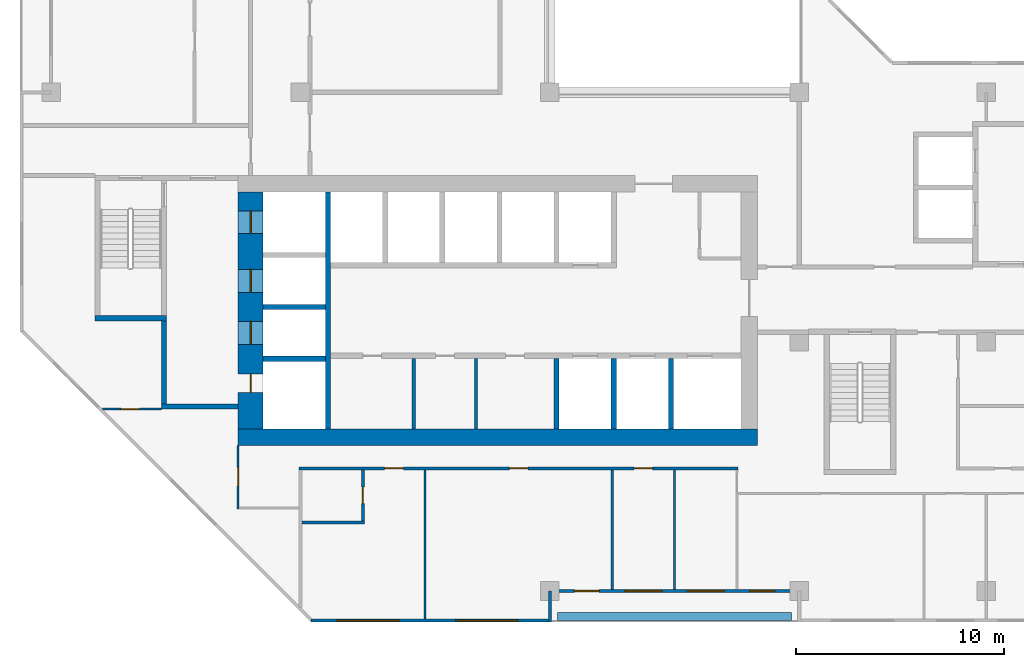
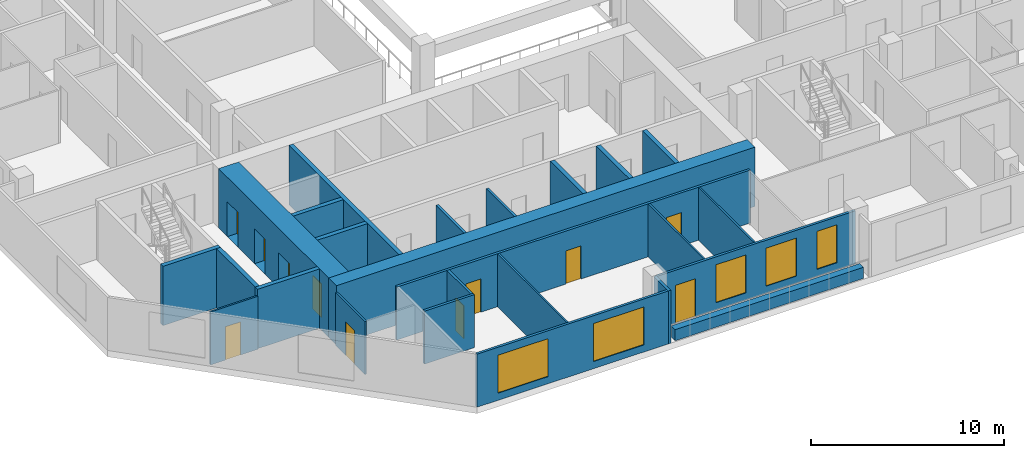
# One storey, part 4 of 15: 25 walls, 11 doors, 5 windows, 16 openings.
"""IFC4 building model written with IfcOpenShell, lengths in metres."""

import ifcopenshell
import ifcopenshell.guid

model = None  # the IFC model being written
_history = None  # IfcOwnerHistory: only IFC2X3 demands one
_inside = {}  # id of a spatial element -> (the spatial element, [elements in it])
_under = {}  # id of a project, library or spatial element -> (it, [spatial elements below it])
_declared = {}  # id of a project -> (the project, [libraries it declares])
_typed = {}  # id of a type object -> (the type object, [elements of that type])
_made_of = {}  # id of a material, layer set ... -> (it, [elements and type objects made of it])


def new_model(schema):
    """Start an empty IFC model of exactly this schema.

    Asked for "IFC4X3", IfcOpenShell would pick the latest addendum, in which some entities
    have other attributes; the version numbers below select the first issue.
    IFC2X3 requires an IfcOwnerHistory on every rooted entity: one is made here for all.
    """
    global model, _history
    if schema == "IFC4X3":
        model = ifcopenshell.file(schema_version=(4, 3, 0, 0))
    else:
        model = ifcopenshell.file(schema=schema)
    _inside.clear()
    _under.clear()
    _declared.clear()
    _typed.clear()
    _made_of.clear()
    _history = None
    if model.schema == "IFC2X3":
        org = make("IfcOrganization", Name="unknown")
        user = make(
            "IfcPersonAndOrganization",
            ThePerson=make("IfcPerson", FamilyName="unknown"),
            TheOrganization=org,
        )
        app = make(
            "IfcApplication",
            ApplicationDeveloper=org,
            Version="unknown",
            ApplicationFullName="unknown",
            ApplicationIdentifier="unknown",
        )
        _history = make(
            "IfcOwnerHistory",
            OwningUser=user,
            OwningApplication=app,
            ChangeAction="ADDED",
            CreationDate=0,
        )
    return model


def make(cls, **values):
    """One entity of the class cls with the attributes given. An attribute that is None is left unset."""
    return model.create_entity(
        cls, **{name: value for name, value in values.items() if value is not None}
    )


def rooted(cls, **values):
    """An entity with a GlobalId (a new one), such as an element, a storey or a relation."""
    return make(cls, GlobalId=ifcopenshell.guid.new(), OwnerHistory=_history, **values)


def si_unit(unit_type, name, prefix=None):
    """IfcSIUnit, for example si_unit("LENGTHUNIT", "METRE", prefix="MILLI")."""
    return make("IfcSIUnit", UnitType=unit_type, Prefix=prefix, Name=name)


def assignment(units):
    """IfcUnitAssignment: the units of a project."""
    return None if units is None else make("IfcUnitAssignment", Units=units)


def point(xyz):
    """IfcCartesianPoint."""
    return None if xyz is None else make("IfcCartesianPoint", Coordinates=xyz)


def direction(xyz):
    """IfcDirection."""
    return None if xyz is None else make("IfcDirection", DirectionRatios=xyz)


def frame(location, z_axis=None, x_axis=None):
    """IfcAxis2Placement3D, a coordinate frame: its origin and axes. An axis left out is left unset."""
    return make(
        "IfcAxis2Placement3D",
        Location=point(location),
        Axis=direction(z_axis),
        RefDirection=direction(x_axis),
    )


def frame_2d(location, x_axis=None):
    """IfcAxis2Placement2D, a coordinate frame in the plane: its origin and x axis."""
    return make(
        "IfcAxis2Placement2D", Location=point(location), RefDirection=direction(x_axis)
    )


def origin():
    """The frame at (0, 0, 0) with its axes left unset."""
    return frame((0.0, 0.0, 0.0))


def place(relative_to, where):
    """IfcLocalPlacement: puts the frame where relative to a parent placement (None: the world)."""
    return make(
        "IfcLocalPlacement", PlacementRelTo=relative_to, RelativePlacement=where
    )


def context(
    kind, dimensions, precision=None, world=None, true_north=None, identifier=None
):
    """IfcGeometricRepresentationContext, for example the 3D "Model" context."""
    return make(
        "IfcGeometricRepresentationContext",
        ContextIdentifier=identifier,
        ContextType=kind,
        CoordinateSpaceDimension=dimensions,
        Precision=precision,
        WorldCoordinateSystem=world,
        TrueNorth=true_north,
    )


def subcontext(parent, identifier, kind, view, scale=None):
    """IfcGeometricRepresentationSubContext, for example "Body" below "Model"."""
    return make(
        "IfcGeometricRepresentationSubContext",
        ContextIdentifier=identifier,
        ContextType=kind,
        ParentContext=parent,
        TargetScale=scale,
        TargetView=view,
    )


def project(units=None, contexts=None):
    """IfcProject with its units and contexts."""
    return rooted(
        "IfcProject",
        Name="project",
        RepresentationContexts=contexts,
        UnitsInContext=assignment(units),
    )


def spatial(cls, under=None, at=None, **own):
    """A site, building, storey or space (cls), placed at a placement, below another one or the project."""
    s = rooted(cls, ObjectPlacement=at, **own)
    if under is not None:
        _under.setdefault(under.id(), (under, []))[1].append(s)
    return s


def profile(cls, at=None, kind="AREA", **sizes):
    """A parametric profile (cls). Its sizes go by their IFC names, for example OverallWidth=200.0."""
    return make(cls, ProfileType=kind, Position=at, **sizes)


def rectangle(**sizes):
    """IfcRectangleProfileDef."""
    return profile("IfcRectangleProfileDef", **sizes)


def extrude(swept, where, along, depth):
    """IfcExtrudedAreaSolid: the profile swept, set in the frame where, extruded along a direction by depth."""
    return make(
        "IfcExtrudedAreaSolid",
        SweptArea=swept,
        Position=where,
        ExtrudedDirection=direction(along),
        Depth=depth,
    )


def shape(context_of_items, identifier, shape_type, items):
    """IfcShapeRepresentation: the items that make up one representation, for example the "Body"."""
    return make(
        "IfcShapeRepresentation",
        ContextOfItems=context_of_items,
        RepresentationIdentifier=identifier,
        RepresentationType=shape_type,
        Items=items,
    )


def material(Name=None, Category=None):
    """IfcMaterial."""
    return make("IfcMaterial", Name=Name, Category=Category)


def layer(
    of_material, thickness, ventilated=None, Name=None, Category=None, Priority=None
):
    """IfcMaterialLayer: one layer of a wall or slab, of a material (None: an air gap)."""
    return make(
        "IfcMaterialLayer",
        Material=of_material,
        LayerThickness=thickness,
        IsVentilated=ventilated,
        Name=Name,
        Category=Category,
        Priority=Priority,
    )


def layer_set(layers, Name=None):
    """IfcMaterialLayerSet."""
    return make("IfcMaterialLayerSet", MaterialLayers=layers, LayerSetName=Name)


def made_of(thing, what):
    """Note that an element or type object is made of a material, layer set ...; save() writes the relation."""
    if what is not None:
        _made_of.setdefault(what.id(), (what, []))[1].append(thing)
    return thing


def type_object(cls, material=None, **own):
    """A type object (cls), such as IfcWallType, which elements share."""
    return made_of(rooted(cls, **own), material)


def element(
    cls,
    number,
    at=None,
    inside=None,
    cuts=None,
    type_object=None,
    material=None,
    context=None,
    identifier="Body",
    shape_type=None,
    held_by="IfcProductDefinitionShape",
    body=None,
    shapes=None,
    **own,
):
    """One element of the class cls, such as IfcWall. Its Tag is "e" and its number.

    at: its placement. inside: the storey or other place that contains it. cuts: it is an
    opening in that element (IfcRelVoidsElement). A single representation is given by context,
    identifier, shape_type and body (its items); several are given by shapes. held_by: the class
    of the entity that holds the representations. save() writes the other relations.
    """
    e = rooted(cls, Tag="e%d" % number, ObjectPlacement=at, **own)
    if body is not None:
        shapes = [shape(context, identifier, shape_type, body)]
    if shapes is not None:
        e.Representation = make(held_by, Representations=shapes)
    if inside is not None:
        _inside.setdefault(inside.id(), (inside, []))[1].append(e)
    if cuts is not None:
        rooted(
            "IfcRelVoidsElement", RelatingBuildingElement=cuts, RelatedOpeningElement=e
        )
    if type_object is not None:
        _typed.setdefault(type_object.id(), (type_object, []))[1].append(e)
    return made_of(e, material)


def fill(opening, filler):
    """IfcRelFillsElement: the door or window that sits in an opening."""
    return rooted(
        "IfcRelFillsElement",
        RelatingOpeningElement=opening,
        RelatedBuildingElement=filler,
    )


def aggregate(whole, parts):
    """IfcRelAggregates: a whole, such as a stair, and the parts it consists of."""
    return rooted("IfcRelAggregates", RelatingObject=whole, RelatedObjects=parts)


def save(model, path):
    """Write the relations noted so far, then the file.

    IfcRelAggregates (storeys below a building ...), IfcRelContainedInSpatialStructure (elements
    in a storey), IfcRelDefinesByType, IfcRelAssociatesMaterial and IfcRelDeclares: one each for
    every whole, place, type object, material and project.
    """
    for whole, parts in _under.values():
        aggregate(whole, parts)
    for where, things in _inside.values():
        rooted(
            "IfcRelContainedInSpatialStructure",
            RelatedElements=things,
            RelatingStructure=where,
        )
    for kind, things in _typed.values():
        rooted("IfcRelDefinesByType", RelatedObjects=things, RelatingType=kind)
    for what, things in _made_of.values():
        rooted("IfcRelAssociatesMaterial", RelatedObjects=things, RelatingMaterial=what)
    for by, libraries in _declared.values():
        rooted("IfcRelDeclares", RelatingContext=by, RelatedDefinitions=libraries)
    model.write(path)


model = new_model("IFC4")

# Units and contexts
model_context = context("Model", 3, precision=1e-05, world=origin(), true_north=direction((0.0, 1.0)))
body_context = subcontext(model_context, "Body", "Model", "MODEL_VIEW")
ifc_project = project(units=[si_unit("LENGTHUNIT", "METRE"), si_unit("AREAUNIT", "SQUARE_METRE"), si_unit("VOLUMEUNIT", "CUBIC_METRE"), si_unit("PLANEANGLEUNIT", "RADIAN"), si_unit("MASSUNIT", "GRAM", prefix="KILO")], contexts=[model_context])

# Site, building, storey
site_placement = place(None, origin())
site = spatial("IfcSite", under=ifc_project, at=site_placement, CompositionType="ELEMENT")
building_placement = place(site_placement, origin())
building = spatial("IfcBuilding", under=site, at=building_placement, Name="Chenar Terraces", CompositionType="ELEMENT")
storey_placement = place(building_placement, frame((0.0, 0.0, 191.14990234375)))
storey = spatial("IfcBuildingStorey", under=building, at=storey_placement, Name="L44", CompositionType="ELEMENT", Elevation=191.14990234375)

# Walls
ifc_material_1 = material(Name="Gypsum board on steel studs", Category="steel")
ifc_layer_1 = layer(ifc_material_1, 0.14990234375)
ifc_layer_set_1 = layer_set([ifc_layer_1], Name="Gypsum board on steel studs")
wall_type_1 = type_object("IfcWallType", Name="Core partition 150 gypsum board", PredefinedType="PARTITIONING", material=ifc_layer_set_1)
for number, where, z_axis, x_axis, name in (
    (1, (17.449951171875, 7.800048828125, 0.0), (0.0, 0.0, 1.0), (0.0, 1.0, 0.0), "Core partition CP1 freed bay wall"),
    (2, (20.449951171875, 7.800048828125, 0.0), (0.0, 0.0, 1.0), (0.0, 1.0, 0.0), "Core partition CP1 freed bay wall"),
):
    element("IfcWall", number, at=place(storey_placement, frame(where, z_axis=z_axis, x_axis=x_axis)), inside=storey, type_object=wall_type_1, Name=name, PredefinedType="PARTITIONING", context=body_context, shape_type="SweptSolid", body=[
        extrude(rectangle(XDim=3.39990234375, YDim=0.14990234375, at=frame_2d((1.699951171875, 0.0))), origin(), (0.0, 0.0, 1.0), 3.35009765625),
    ])

# Wall, openings, doors
ifc_material_2 = material(Name="Concrete C60/75", Category="concrete")
ifc_layer_2 = layer(ifc_material_2, 1.199951171875)
ifc_layer_set_2 = layer_set([ifc_layer_2], Name="Concrete C60/75")
wall_type_2 = type_object("IfcWallType", Name="Core wall 1200 Concrete C60/75", PredefinedType="SHEAR", material=ifc_layer_set_2)
wall_1_placement = place(storey_placement, frame((9.60009765625, 7.800048828125, 0.0), z_axis=(0.0, 0.0, 1.0), x_axis=(0.0, 1.0, 0.0)))
wall_1 = element("IfcWall", 3, at=wall_1_placement, inside=storey, type_object=wall_type_2, Name="Core wall W L44", PredefinedType="SHEAR", context=body_context, shape_type="SweptSolid", body=[
    extrude(rectangle(XDim=11.39990234375, YDim=1.199951171875, at=frame_2d((5.699951171875, 0.0))), origin(), (0.0, 0.0, 1.0), 3.75),
])
opening_1_placement = place(wall_1_placement, frame((4.074951171875, 0.0, 0.0)))
opening_1 = element("IfcOpeningElement", 4, at=opening_1_placement, cuts=wall_1, Name="Opening DL44-LD5", PredefinedType="OPENING", context=body_context, shape_type="SweptSolid", body=[
    extrude(rectangle(XDim=1.10009765625, YDim=2.199951171875, at=frame_2d((0.550048828125, 1.10009765625))), frame((0.0, 0.60986328125, 0.0), z_axis=(0.0, -1.0, 0.0), x_axis=(1.0, 0.0, 0.0)), (0.0, 0.0, 1.0), 1.219970703125),
])
opening_2_placement = place(wall_1_placement, frame((6.574951171875, 0.0, 0.0)))
opening_2 = element("IfcOpeningElement", 5, at=opening_2_placement, cuts=wall_1, Name="Opening DL44-LD6", PredefinedType="OPENING", context=body_context, shape_type="SweptSolid", body=[
    extrude(rectangle(XDim=1.10009765625, YDim=2.199951171875, at=frame_2d((0.550048828125, 1.10009765625))), frame((0.0, 0.60986328125, 0.0), z_axis=(0.0, -1.0, 0.0), x_axis=(1.0, 0.0, 0.0)), (0.0, 0.0, 1.0), 1.219970703125),
])
opening_3_placement = place(wall_1_placement, frame((9.39990234375, 0.0, 0.0)))
opening_3 = element("IfcOpeningElement", 6, at=opening_3_placement, cuts=wall_1, Name="Opening DL44-LD7", PredefinedType="OPENING", context=body_context, shape_type="SweptSolid", body=[
    extrude(rectangle(XDim=1.10009765625, YDim=2.199951171875, at=frame_2d((0.550048828125, 1.10009765625))), frame((0.0, 0.60986328125, 0.0), z_axis=(0.0, -1.0, 0.0), x_axis=(1.0, 0.0, 0.0)), (0.0, 0.0, 1.0), 1.219970703125),
])
opening_4_placement = place(wall_1_placement, frame((1.75, 0.0, 0.0)))
opening_4 = element("IfcOpeningElement", 7, at=opening_4_placement, cuts=wall_1, Name="Opening DL44-C4", PredefinedType="OPENING", context=body_context, shape_type="SweptSolid", body=[
    extrude(rectangle(XDim=0.89990234375, YDim=2.10009765625, at=frame_2d((0.449951171875, 1.050048828125))), frame((0.0, 0.60986328125, 0.0), z_axis=(0.0, -1.0, 0.0), x_axis=(1.0, 0.0, 0.0)), (0.0, 0.0, 1.0), 1.219970703125),
])
ifc_material_3 = material(Name="Stainless steel", Category="steel")
door_type_1 = type_object("IfcDoorType", Name="Lift landing door 1100 x 2200 sliding", OperationType="DOUBLE_DOOR_SLIDING", PredefinedType="DOOR", material=ifc_material_3)
door_1_placement = place(opening_1_placement, origin())
door_1 = element("IfcDoor", 8, at=door_1_placement, inside=storey, type_object=door_type_1, Name="Landing door S1", OperationType="DOUBLE_DOOR_SLIDING", OverallHeight=2.199951171875, OverallWidth=1.10009765625, PredefinedType="DOOR", context=body_context, shape_type="SweptSolid", body=[
    extrude(rectangle(XDim=1.10009765625, YDim=2.199951171875, at=frame_2d((0.550048828125, 1.10009765625))), frame((0.0, 0.02490234375, 0.0), z_axis=(0.0, -1.0, 0.0), x_axis=(1.0, 0.0, 0.0)), (0.0, 0.0, 1.0), 0.050048828125),
])
fill(opening_1, door_1)
door_2_placement = place(opening_2_placement, origin())
door_2 = element("IfcDoor", 9, at=door_2_placement, inside=storey, type_object=door_type_1, Name="Landing door F1", OperationType="DOUBLE_DOOR_SLIDING", OverallHeight=2.199951171875, OverallWidth=1.10009765625, PredefinedType="DOOR", context=body_context, shape_type="SweptSolid", body=[
    extrude(rectangle(XDim=1.10009765625, YDim=2.199951171875, at=frame_2d((0.550048828125, 1.10009765625))), frame((0.0, 0.02490234375, 0.0), z_axis=(0.0, -1.0, 0.0), x_axis=(1.0, 0.0, 0.0)), (0.0, 0.0, 1.0), 0.050048828125),
])
fill(opening_2, door_2)
door_3_placement = place(opening_3_placement, origin())
door_3 = element("IfcDoor", 10, at=door_3_placement, inside=storey, type_object=door_type_1, Name="Landing door F2", OperationType="DOUBLE_DOOR_SLIDING", OverallHeight=2.199951171875, OverallWidth=1.10009765625, PredefinedType="DOOR", context=body_context, shape_type="SweptSolid", body=[
    extrude(rectangle(XDim=1.10009765625, YDim=2.199951171875, at=frame_2d((0.550048828125, 1.10009765625))), frame((0.0, 0.02490234375, 0.0), z_axis=(0.0, -1.0, 0.0), x_axis=(1.0, 0.0, 0.0)), (0.0, 0.0, 1.0), 0.050048828125),
])
fill(opening_3, door_3)
ifc_material_4 = material(Name="Steel-framed fire-resisting door leaf", Category="steel")
door_type_2 = type_object("IfcDoorType", Name="Riser fire door FD60 900 x 2100", OperationType="SINGLE_SWING_LEFT", PredefinedType="DOOR", material=ifc_material_4)
door_4_placement = place(opening_4_placement, frame((0.89990234375, 0.0, 0.0), z_axis=(0.0, 0.0, 1.0), x_axis=(-1.0, 0.0, 0.0)))
door_4 = element("IfcDoor", 11, at=door_4_placement, inside=storey, type_object=door_type_2, Name="Riser door DL44-C4", OperationType="SINGLE_SWING_LEFT", OverallHeight=2.10009765625, OverallWidth=0.89990234375, PredefinedType="DOOR", context=body_context, shape_type="SweptSolid", body=[
    extrude(rectangle(XDim=0.89990234375, YDim=2.10009765625, at=frame_2d((0.449951171875, 1.050048828125))), frame((0.0, 0.02490234375, 0.0), z_axis=(0.0, -1.0, 0.0), x_axis=(1.0, 0.0, 0.0)), (0.0, 0.0, 1.0), 0.050048828125),
])
fill(opening_4, door_4)

# Walls
ifc_material_5 = material(Name="Concrete C60/75", Category="concrete")
ifc_layer_3 = layer(ifc_material_5, 0.25)
ifc_layer_set_3 = layer_set([ifc_layer_3], Name="Concrete C60/75")
wall_type_3 = type_object("IfcWallType", Name="Core wall 250 Concrete C60/75", PredefinedType="SHEAR", material=ifc_layer_set_3)
wall_2_placement = place(storey_placement, frame((13.324951171875, 7.800048828125, 0.0), z_axis=(0.0, 0.0, 1.0), x_axis=(0.0, 1.0, 0.0)))
element("IfcWall", 12, at=wall_2_placement, inside=storey, type_object=wall_type_3, Name="Core wall WI L44", PredefinedType="SHEAR", context=body_context, shape_type="SweptSolid", body=[
    extrude(rectangle(XDim=11.39990234375, YDim=0.25, at=frame_2d((5.699951171875, 0.0))), origin(), (0.0, 0.0, 1.0), 3.75),
])
for number, where, z_axis, x_axis, name in (
    (13, (10.199951171875, 11.175048828125, 0.0), (0.0, 0.0, 1.0), (1.0, 0.0, 0.0), "Core wall HW0 L44"),
    (14, (10.199951171875, 13.675048828125, 0.0), (0.0, 0.0, 1.0), (1.0, 0.0, 0.0), "Core wall HW1 L44"),
):
    element("IfcWall", number, at=place(storey_placement, frame(where, z_axis=z_axis, x_axis=x_axis)), inside=storey, type_object=wall_type_3, Name=name, PredefinedType="SHEAR", context=body_context, shape_type="SweptSolid", body=[
        extrude(rectangle(XDim=3.0, YDim=0.25, at=frame_2d((1.5, 0.0))), origin(), (0.0, 0.0, 1.0), 3.75),
    ])
for number, where, z_axis, x_axis, name in (
    (15, (24.324951171875, 7.800048828125, 0.0), (0.0, 0.0, 1.0), (0.0, 1.0, 0.0), "Core wall SS3 L44"),
    (16, (27.074951171875, 7.800048828125, 0.0), (0.0, 0.0, 1.0), (0.0, 1.0, 0.0), "Core wall SS4 L44"),
    (17, (29.824951171875, 7.800048828125, 0.0), (0.0, 0.0, 1.0), (0.0, 1.0, 0.0), "Core wall SS5 L44"),
):
    element("IfcWall", number, at=place(storey_placement, frame(where, z_axis=z_axis, x_axis=x_axis)), inside=storey, type_object=wall_type_3, Name=name, PredefinedType="SHEAR", context=body_context, shape_type="SweptSolid", body=[
        extrude(rectangle(XDim=3.39990234375, YDim=0.25, at=frame_2d((1.699951171875, 0.0))), origin(), (0.0, 0.0, 1.0), 3.75),
    ])
wall_3_placement = place(storey_placement, frame((2.10009765625, 13.125, 0.0), z_axis=(0.0, 0.0, 1.0), x_axis=(1.0, 0.0, 0.0)))
element("IfcWall", 18, at=wall_3_placement, inside=storey, type_object=wall_type_3, Name="Core wall ST1_S L44", PredefinedType="SHEAR", context=body_context, shape_type="SweptSolid", body=[
    extrude(rectangle(XDim=3.449951171875, YDim=0.25, at=frame_2d((1.72509765625, 0.0))), origin(), (0.0, 0.0, 1.0), 3.75),
])
wall_4_placement = place(storey_placement, frame((5.300048828125, 8.875, 0.0), z_axis=(0.0, 0.0, 1.0), x_axis=(1.0, 0.0, 0.0)))
element("IfcWall", 19, at=wall_4_placement, inside=storey, type_object=wall_type_3, Name="Core wall FFL_S L44", PredefinedType="SHEAR", context=body_context, shape_type="SweptSolid", body=[
    extrude(rectangle(XDim=3.699951171875, YDim=0.25, at=frame_2d((1.85009765625, 0.0))), origin(), (0.0, 0.0, 1.0), 3.75),
])
wall_5_placement = place(storey_placement, frame((5.425048828125, 9.0, 0.0), z_axis=(0.0, 0.0, 1.0), x_axis=(0.0, 1.0, 0.0)))
element("IfcWall", 20, at=wall_5_placement, inside=storey, type_object=wall_type_3, Name="Core wall FFL_W L44", PredefinedType="SHEAR", context=body_context, shape_type="SweptSolid", body=[
    extrude(rectangle(XDim=4.0, YDim=0.25, at=frame_2d((2.0, 0.0))), origin(), (0.0, 0.0, 1.0), 3.75),
])
ifc_material_6 = material(Name="Concrete C60/75", Category="concrete")
ifc_layer_4 = layer(ifc_material_6, 0.800048828125)
ifc_layer_set_4 = layer_set([ifc_layer_4], Name="Concrete C60/75")
wall_type_4 = type_object("IfcWallType", Name="Core wall 800 Concrete C60/75", PredefinedType="SHEAR", material=ifc_layer_set_4)
wall_6_placement = place(storey_placement, frame((9.0, 7.39990234375, 0.0), z_axis=(0.0, 0.0, 1.0), x_axis=(1.0, 0.0, 0.0)))
element("IfcWall", 21, at=wall_6_placement, inside=storey, type_object=wall_type_4, Name="Core wall S L44", PredefinedType="SHEAR", context=body_context, shape_type="SweptSolid", body=[
    extrude(rectangle(XDim=25.0, YDim=0.800048828125, at=frame_2d((12.5, 0.0))), origin(), (0.0, 0.0, 1.0), 3.75),
])

# Wall, openings, windows
ifc_material_7 = material(Name="Aluminium framed glazing", Category="aluminium")
ifc_layer_5 = layer(ifc_material_7, 0.14990234375)
ifc_layer_set_5 = layer_set([ifc_layer_5], Name="Aluminium framed glazing")
wall_type_5 = type_object("IfcWallType", Name="Glazed flush facade wall 150", PredefinedType="SOLIDWALL", material=ifc_layer_set_5)
wall_7_placement = place(storey_placement, frame((12.5, -1.425048828125, 0.0), z_axis=(0.0, 0.0, 1.0), x_axis=(1.0, 0.0, 0.0)))
wall_7 = element("IfcWall", 22, at=wall_7_placement, inside=storey, type_object=wall_type_5, Name="Glazed flush facade wall", PredefinedType="SOLIDWALL", context=body_context, shape_type="SweptSolid", body=[
    extrude(rectangle(XDim=11.425048828125, YDim=0.14990234375, at=frame_2d((5.71240234375, 0.0))), origin(), (0.0, 0.0, 1.0), 3.35009765625),
])
opening_5_placement = place(wall_7_placement, frame((1.25, 0.0, 0.449951171875)))
opening_5 = element("IfcOpeningElement", 23, at=opening_5_placement, cuts=wall_7, Name="Opening W300x240", PredefinedType="OPENING", context=body_context, shape_type="SweptSolid", body=[
    extrude(rectangle(XDim=3.0, YDim=2.39990234375, at=frame_2d((1.5, 1.199951171875))), frame((0.0, 0.0849609375, 0.0), z_axis=(0.0, -1.0, 0.0), x_axis=(1.0, 0.0, 0.0)), (0.0, 0.0, 1.0), 0.169921875),
])
opening_6_placement = place(wall_7_placement, frame((6.96240234375, 0.0, 0.449951171875)))
opening_6 = element("IfcOpeningElement", 24, at=opening_6_placement, cuts=wall_7, Name="Opening W300x240", PredefinedType="OPENING", context=body_context, shape_type="SweptSolid", body=[
    extrude(rectangle(XDim=3.0, YDim=2.39990234375, at=frame_2d((1.5, 1.199951171875))), frame((0.0, 0.0849609375, 0.0), z_axis=(0.0, -1.0, 0.0), x_axis=(1.0, 0.0, 0.0)), (0.0, 0.0, 1.0), 0.169921875),
])
ifc_material_8 = material(Name="Low emissivity double glazing, aluminium frame", Category="aluminium")
window_type_1 = type_object("IfcWindowType", Name="Fixed light 3000 x 2400", PartitioningType="SINGLE_PANEL", PredefinedType="WINDOW", material=ifc_material_8)
window_1_placement = place(opening_5_placement, origin())
window_1 = element("IfcWindow", 25, at=window_1_placement, inside=storey, type_object=window_type_1, Name="Window", OverallHeight=2.39990234375, OverallWidth=3.0, PartitioningType="SINGLE_PANEL", PredefinedType="WINDOW", context=body_context, shape_type="SweptSolid", body=[
    extrude(rectangle(XDim=3.0, YDim=2.39990234375, at=frame_2d((1.5, 1.199951171875))), frame((0.0, 0.030029296875, 0.0), z_axis=(0.0, -1.0, 0.0), x_axis=(1.0, 0.0, 0.0)), (0.0, 0.0, 1.0), 0.06005859375),
])
fill(opening_5, window_1)
window_2_placement = place(opening_6_placement, origin())
window_2 = element("IfcWindow", 26, at=window_2_placement, inside=storey, type_object=window_type_1, Name="Window", OverallHeight=2.39990234375, OverallWidth=3.0, PartitioningType="SINGLE_PANEL", PredefinedType="WINDOW", context=body_context, shape_type="SweptSolid", body=[
    extrude(rectangle(XDim=3.0, YDim=2.39990234375, at=frame_2d((1.5, 1.199951171875))), frame((0.0, 0.030029296875, 0.0), z_axis=(0.0, -1.0, 0.0), x_axis=(1.0, 0.0, 0.0)), (0.0, 0.0, 1.0), 0.06005859375),
])
fill(opening_6, window_2)

# Wall, openings, windows, door
ifc_material_9 = material(Name="Aluminium framed glazing", Category="aluminium")
ifc_layer_6 = layer(ifc_material_9, 0.14990234375)
ifc_layer_set_6 = layer_set([ifc_layer_6], Name="Aluminium framed glazing")
wall_type_6 = type_object("IfcWallType", Name="Glazed loggia back wall 150", PredefinedType="SOLIDWALL", material=ifc_layer_set_6)
wall_8_placement = place(storey_placement, frame((24.074951171875, 0.0, 0.0), z_axis=(0.0, 0.0, 1.0), x_axis=(1.0, 0.0, 0.0)))
wall_8 = element("IfcWall", 27, at=wall_8_placement, inside=storey, type_object=wall_type_6, Name="Glazed loggia back wall", PredefinedType="SOLIDWALL", context=body_context, shape_type="SweptSolid", body=[
    extrude(rectangle(XDim=11.85009765625, YDim=0.14990234375, at=frame_2d((5.925048828125, 0.0))), origin(), (0.0, 0.0, 1.0), 3.35009765625),
])
opening_7_placement = place(wall_8_placement, frame((1.10009765625, 0.0, 0.0)))
opening_7 = element("IfcOpeningElement", 28, at=opening_7_placement, cuts=wall_8, Name="Opening DL44-G6", PredefinedType="OPENING", context=body_context, shape_type="SweptSolid", body=[
    extrude(rectangle(XDim=1.199951171875, YDim=2.39990234375, at=frame_2d((0.60009765625, 1.199951171875))), frame((0.0, 0.0849609375, 0.0), z_axis=(0.0, -1.0, 0.0), x_axis=(1.0, 0.0, 0.0)), (0.0, 0.0, 1.0), 0.169921875),
])
opening_8_placement = place(wall_8_placement, frame((3.52490234375, 0.0, 0.449951171875)))
opening_8 = element("IfcOpeningElement", 29, at=opening_8_placement, cuts=wall_8, Name="Opening W180x240", PredefinedType="OPENING", context=body_context, shape_type="SweptSolid", body=[
    extrude(rectangle(XDim=1.800048828125, YDim=2.39990234375, at=frame_2d((0.89990234375, 1.199951171875))), frame((0.0, 0.0849609375, 0.0), z_axis=(0.0, -1.0, 0.0), x_axis=(1.0, 0.0, 0.0)), (0.0, 0.0, 1.0), 0.169921875),
])
opening_9_placement = place(wall_8_placement, frame((6.52490234375, 0.0, 0.449951171875)))
opening_9 = element("IfcOpeningElement", 30, at=opening_9_placement, cuts=wall_8, Name="Opening W180x240", PredefinedType="OPENING", context=body_context, shape_type="SweptSolid", body=[
    extrude(rectangle(XDim=1.800048828125, YDim=2.39990234375, at=frame_2d((0.89990234375, 1.199951171875))), frame((0.0, 0.0849609375, 0.0), z_axis=(0.0, -1.0, 0.0), x_axis=(1.0, 0.0, 0.0)), (0.0, 0.0, 1.0), 0.169921875),
])
opening_10_placement = place(wall_8_placement, frame((9.550048828125, 0.0, 0.449951171875)))
opening_10 = element("IfcOpeningElement", 31, at=opening_10_placement, cuts=wall_8, Name="Opening W120x240", PredefinedType="OPENING", context=body_context, shape_type="SweptSolid", body=[
    extrude(rectangle(XDim=1.199951171875, YDim=2.39990234375, at=frame_2d((0.60009765625, 1.199951171875))), frame((0.0, 0.0849609375, 0.0), z_axis=(0.0, -1.0, 0.0), x_axis=(1.0, 0.0, 0.0)), (0.0, 0.0, 1.0), 0.169921875),
])
ifc_material_10 = material(Name="Low emissivity double glazing, aluminium frame", Category="aluminium")
window_type_2 = type_object("IfcWindowType", Name="Fixed light 1200 x 2400", PartitioningType="SINGLE_PANEL", PredefinedType="WINDOW", material=ifc_material_10)
window_3_placement = place(opening_10_placement, origin())
window_3 = element("IfcWindow", 32, at=window_3_placement, inside=storey, type_object=window_type_2, Name="Window", OverallHeight=2.39990234375, OverallWidth=1.199951171875, PartitioningType="SINGLE_PANEL", PredefinedType="WINDOW", context=body_context, shape_type="SweptSolid", body=[
    extrude(rectangle(XDim=1.199951171875, YDim=2.39990234375, at=frame_2d((0.60009765625, 1.199951171875))), frame((0.0, 0.030029296875, 0.0), z_axis=(0.0, -1.0, 0.0), x_axis=(1.0, 0.0, 0.0)), (0.0, 0.0, 1.0), 0.06005859375),
])
fill(opening_10, window_3)
ifc_material_11 = material(Name="Low emissivity double glazing, aluminium frame", Category="aluminium")
window_type_3 = type_object("IfcWindowType", Name="Fixed light 1800 x 2400", PartitioningType="SINGLE_PANEL", PredefinedType="WINDOW", material=ifc_material_11)
window_4_placement = place(opening_8_placement, origin())
window_4 = element("IfcWindow", 33, at=window_4_placement, inside=storey, type_object=window_type_3, Name="Window", OverallHeight=2.39990234375, OverallWidth=1.800048828125, PartitioningType="SINGLE_PANEL", PredefinedType="WINDOW", context=body_context, shape_type="SweptSolid", body=[
    extrude(rectangle(XDim=1.800048828125, YDim=2.39990234375, at=frame_2d((0.89990234375, 1.199951171875))), frame((0.0, 0.030029296875, 0.0), z_axis=(0.0, -1.0, 0.0), x_axis=(1.0, 0.0, 0.0)), (0.0, 0.0, 1.0), 0.06005859375),
])
fill(opening_8, window_4)
window_5_placement = place(opening_9_placement, origin())
window_5 = element("IfcWindow", 34, at=window_5_placement, inside=storey, type_object=window_type_3, Name="Window", OverallHeight=2.39990234375, OverallWidth=1.800048828125, PartitioningType="SINGLE_PANEL", PredefinedType="WINDOW", context=body_context, shape_type="SweptSolid", body=[
    extrude(rectangle(XDim=1.800048828125, YDim=2.39990234375, at=frame_2d((0.89990234375, 1.199951171875))), frame((0.0, 0.030029296875, 0.0), z_axis=(0.0, -1.0, 0.0), x_axis=(1.0, 0.0, 0.0)), (0.0, 0.0, 1.0), 0.06005859375),
])
fill(opening_9, window_5)
ifc_material_12 = material(Name="Low emissivity double glazing, aluminium frame", Category="aluminium")
door_type_3 = type_object("IfcDoorType", Name="Loggia glazed double door 1200 x 2400", OperationType="DOUBLE_DOOR_SINGLE_SWING", PredefinedType="DOOR", material=ifc_material_12)
door_5_placement = place(opening_7_placement, frame((1.199951171875, 0.0, 0.0), z_axis=(0.0, 0.0, 1.0), x_axis=(-1.0, 0.0, 0.0)))
door_5 = element("IfcDoor", 35, at=door_5_placement, inside=storey, type_object=door_type_3, Name="Loggia glazed door", OperationType="DOUBLE_DOOR_SINGLE_SWING", OverallHeight=2.39990234375, OverallWidth=1.199951171875, PredefinedType="DOOR", context=body_context, shape_type="SweptSolid", body=[
    extrude(rectangle(XDim=1.199951171875, YDim=2.39990234375, at=frame_2d((0.60009765625, 1.199951171875))), frame((0.0, 0.02490234375, 0.0), z_axis=(0.0, -1.0, 0.0), x_axis=(1.0, 0.0, 0.0)), (0.0, 0.0, 1.0), 0.050048828125),
])
fill(opening_7, door_5)

# Wall, opening, door
ifc_material_13 = material(Name="Gypsum board on steel studs", Category="steel")
ifc_layer_7 = layer(ifc_material_13, 0.10009765625)
ifc_layer_set_7 = layer_set([ifc_layer_7], Name="Gypsum board on steel studs")
wall_type_7 = type_object("IfcWallType", Name="Gypsum partition 100", PredefinedType="PARTITIONING", material=ifc_layer_set_7)
wall_9_placement = place(storey_placement, frame((2.4609375, 8.75, 0.0), z_axis=(0.0, 0.0, 1.0), x_axis=(1.0, 0.0, 0.0)))
wall_9 = element("IfcWall", 36, at=wall_9_placement, inside=storey, type_object=wall_type_7, Name="Partition L44-012", PredefinedType="PARTITIONING", context=body_context, shape_type="SweptSolid", body=[
    extrude(rectangle(XDim=2.839111328125, YDim=0.10009765625, at=frame_2d((1.41943359375, 0.0))), origin(), (0.0, 0.0, 1.0), 3.35009765625),
])
opening_11_placement = place(wall_9_placement, frame((0.888916015625, 0.0, 0.0)))
opening_11 = element("IfcOpeningElement", 37, at=opening_11_placement, cuts=wall_9, Name="Opening DL44-50", PredefinedType="OPENING", context=body_context, shape_type="SweptSolid", body=[
    extrude(rectangle(XDim=0.89990234375, YDim=2.10009765625, at=frame_2d((0.449951171875, 1.050048828125))), frame((0.0, 0.06005859375, 0.0), z_axis=(0.0, -1.0, 0.0), x_axis=(1.0, 0.0, 0.0)), (0.0, 0.0, 1.0), 0.1201171875),
])
ifc_material_14 = material(Name="Veneered timber door leaf", Category="wood")
door_type_4 = type_object("IfcDoorType", Name="Door 900 x 2100", OperationType="SINGLE_SWING_LEFT", PredefinedType="DOOR", material=ifc_material_14)
door_6_placement = place(opening_11_placement, frame((0.89990234375, 0.0, 0.0), z_axis=(0.0, 0.0, 1.0), x_axis=(-1.0, 0.0, 0.0)))
door_6 = element("IfcDoor", 38, at=door_6_placement, inside=storey, type_object=door_type_4, Name="Door DL44-50", OperationType="SINGLE_SWING_RIGHT", OverallHeight=2.10009765625, OverallWidth=0.89990234375, PredefinedType="DOOR", context=body_context, shape_type="SweptSolid", body=[
    extrude(rectangle(XDim=0.89990234375, YDim=2.10009765625, at=frame_2d((0.449951171875, 1.050048828125))), frame((0.0, 0.02490234375, 0.0), z_axis=(0.0, -1.0, 0.0), x_axis=(1.0, 0.0, 0.0)), (0.0, 0.0, 1.0), 0.050048828125),
])
fill(opening_11, door_6)

wall_10_placement = place(storey_placement, frame((9.0, 3.949951171875, 0.0), z_axis=(0.0, 0.0, 1.0), x_axis=(0.0, 1.0, 0.0)))
wall_10 = element("IfcWall", 39, at=wall_10_placement, inside=storey, type_object=wall_type_7, Name="Partition L44-027", PredefinedType="PARTITIONING", context=body_context, shape_type="SweptSolid", body=[
    extrude(rectangle(XDim=3.050048828125, YDim=0.10009765625, at=frame_2d((1.52490234375, 0.0))), origin(), (0.0, 0.0, 1.0), 3.35009765625),
])
opening_12_placement = place(wall_10_placement, frame((1.10009765625, 0.0, 0.0)))
opening_12 = element("IfcOpeningElement", 40, at=opening_12_placement, cuts=wall_10, Name="Opening DL44-49", PredefinedType="OPENING", context=body_context, shape_type="SweptSolid", body=[
    extrude(rectangle(XDim=0.89990234375, YDim=2.10009765625, at=frame_2d((0.449951171875, 1.050048828125))), frame((0.0, 0.06005859375, 0.0), z_axis=(0.0, -1.0, 0.0), x_axis=(1.0, 0.0, 0.0)), (0.0, 0.0, 1.0), 0.1201171875),
])
door_7_placement = place(opening_12_placement, origin())
door_7 = element("IfcDoor", 41, at=door_7_placement, inside=storey, type_object=door_type_4, Name="Door DL44-49", OperationType="SINGLE_SWING_LEFT", OverallHeight=2.10009765625, OverallWidth=0.89990234375, PredefinedType="DOOR", context=body_context, shape_type="SweptSolid", body=[
    extrude(rectangle(XDim=0.89990234375, YDim=2.10009765625, at=frame_2d((0.449951171875, 1.050048828125))), frame((0.0, 0.02490234375, 0.0), z_axis=(0.0, -1.0, 0.0), x_axis=(1.0, 0.0, 0.0)), (0.0, 0.0, 1.0), 0.050048828125),
])
fill(opening_12, door_7)

# Walls
wall_11_placement = place(storey_placement, frame((18.0, -1.35009765625, 0.0), z_axis=(0.0, 0.0, 1.0), x_axis=(0.0, 1.0, 0.0)))
element("IfcWall", 42, at=wall_11_placement, inside=storey, type_object=wall_type_7, Name="Partition L44-050", PredefinedType="PARTITIONING", context=body_context, shape_type="SweptSolid", body=[
    extrude(rectangle(XDim=7.175048828125, YDim=0.10009765625, at=frame_2d((3.58740234375, 0.0))), origin(), (0.0, 0.0, 1.0), 3.35009765625),
])
for number, where, z_axis, x_axis, name in (
    (43, (27.0, 0.073974609375, 0.0), (0.0, 0.0, 1.0), (0.0, 1.0, 0.0), "Partition L44-055"),
    (44, (30.0, 0.073974609375, 0.0), (0.0, 0.0, 1.0), (0.0, 1.0, 0.0), "Partition L44-056"),
):
    element("IfcWall", number, at=place(storey_placement, frame(where, z_axis=z_axis, x_axis=x_axis)), inside=storey, type_object=wall_type_7, Name=name, PredefinedType="PARTITIONING", context=body_context, shape_type="SweptSolid", body=[
        extrude(rectangle(XDim=5.7509765625, YDim=0.10009765625, at=frame_2d((2.87548828125, 0.0))), origin(), (0.0, 0.0, 1.0), 3.35009765625),
    ])
ifc_material_15 = material(Name="Terracotta cladding on insulated backing", Category="masonry")
ifc_layer_8 = layer(ifc_material_15, 0.14990234375)
ifc_layer_set_8 = layer_set([ifc_layer_8], Name="Terracotta cladding on insulated backing")
wall_type_8 = type_object("IfcWallType", Name="Loggia return wall 150", PredefinedType="SOLIDWALL", material=ifc_layer_set_8)
wall_12_placement = place(storey_placement, frame((24.0, -1.5, 0.0), z_axis=(0.0, 0.0, 1.0), x_axis=(0.0, 1.0, 0.0)))
element("IfcWall", 45, at=wall_12_placement, inside=storey, type_object=wall_type_8, Name="Loggia return wall", PredefinedType="SOLIDWALL", context=body_context, shape_type="SweptSolid", body=[
    extrude(rectangle(XDim=1.5, YDim=0.14990234375, at=frame_2d((0.75, 0.0))), origin(), (0.0, 0.0, 1.0), 3.35009765625),
])
ifc_material_16 = material(Name="GRP planter trough")
ifc_layer_9 = layer(ifc_material_16, 0.39990234375)
ifc_layer_set_9 = layer_set([ifc_layer_9], Name="GRP planter trough")
wall_type_9 = type_object("IfcWallType", Name="Vertical greenery planter 400", PredefinedType="SOLIDWALL", material=ifc_layer_set_9)
wall_13_placement = place(storey_placement, frame((24.375, -1.22900390625, 0.0), z_axis=(0.0, 0.0, 1.0), x_axis=(1.0, 0.0, 0.0)))
element("IfcWall", 46, at=wall_13_placement, inside=storey, type_object=wall_type_9, Name="Vertical greenery planter", PredefinedType="SOLIDWALL", context=body_context, shape_type="SweptSolid", body=[
    extrude(rectangle(XDim=11.25, YDim=0.39990234375, at=frame_2d((5.625, 0.0))), origin(), (0.0, 0.0, 1.0), 0.7001953125),
])

# Wall, openings, doors
ifc_material_17 = material(Name="Moisture-resistant gypsum board on steel studs", Category="steel")
ifc_layer_10 = layer(ifc_material_17, 0.14990234375)
ifc_layer_set_10 = layer_set([ifc_layer_10], Name="Moisture-resistant gypsum board on steel studs")
wall_type_10 = type_object("IfcWallType", Name="Wet-room partition 150", PredefinedType="PARTITIONING", material=ifc_layer_set_10)
wall_14_placement = place(storey_placement, frame((11.925048828125, 5.89990234375, 0.0), z_axis=(0.0, 0.0, 1.0), x_axis=(1.0, 0.0, 0.0)))
wall_14 = element("IfcWall", 47, at=wall_14_placement, inside=storey, type_object=wall_type_10, Name="Partition L44-030", PredefinedType="PARTITIONING", context=body_context, shape_type="SweptSolid", body=[
    extrude(rectangle(XDim=21.125, YDim=0.14990234375, at=frame_2d((10.5625, 0.0))), origin(), (0.0, 0.0, 1.0), 3.35009765625),
])
opening_13_placement = place(wall_14_placement, frame((16.125, 0.0, 0.0)))
opening_13 = element("IfcOpeningElement", 48, at=opening_13_placement, cuts=wall_14, Name="Opening DL44-45", PredefinedType="OPENING", context=body_context, shape_type="SweptSolid", body=[
    extrude(rectangle(XDim=0.89990234375, YDim=2.10009765625, at=frame_2d((0.449951171875, 1.050048828125))), frame((0.0, 0.0849609375, 0.0), z_axis=(0.0, -1.0, 0.0), x_axis=(1.0, 0.0, 0.0)), (0.0, 0.0, 1.0), 0.169921875),
])
opening_14_placement = place(wall_14_placement, frame((4.125, 0.0, 0.0)))
opening_14 = element("IfcOpeningElement", 49, at=opening_14_placement, cuts=wall_14, Name="Opening DL44-51", PredefinedType="OPENING", context=body_context, shape_type="SweptSolid", body=[
    extrude(rectangle(XDim=0.89990234375, YDim=2.10009765625, at=frame_2d((0.449951171875, 1.050048828125))), frame((0.0, 0.0849609375, 0.0), z_axis=(0.0, -1.0, 0.0), x_axis=(1.0, 0.0, 0.0)), (0.0, 0.0, 1.0), 0.169921875),
])
opening_15_placement = place(wall_14_placement, frame((10.125, 0.0, 0.0)))
opening_15 = element("IfcOpeningElement", 50, at=opening_15_placement, cuts=wall_14, Name="Opening DL44-55", PredefinedType="OPENING", context=body_context, shape_type="SweptSolid", body=[
    extrude(rectangle(XDim=0.89990234375, YDim=2.10009765625, at=frame_2d((0.449951171875, 1.050048828125))), frame((0.0, 0.0849609375, 0.0), z_axis=(0.0, -1.0, 0.0), x_axis=(1.0, 0.0, 0.0)), (0.0, 0.0, 1.0), 0.169921875),
])
door_8_placement = place(opening_13_placement, frame((0.89990234375, 0.0, 0.0), z_axis=(0.0, 0.0, 1.0), x_axis=(-1.0, 0.0, 0.0)))
door_8 = element("IfcDoor", 51, at=door_8_placement, inside=storey, type_object=door_type_4, Name="Door DL44-45", OperationType="SINGLE_SWING_RIGHT", OverallHeight=2.10009765625, OverallWidth=0.89990234375, PredefinedType="DOOR", context=body_context, shape_type="SweptSolid", body=[
    extrude(rectangle(XDim=0.89990234375, YDim=2.10009765625, at=frame_2d((0.449951171875, 1.050048828125))), frame((0.0, 0.02490234375, 0.0), z_axis=(0.0, -1.0, 0.0), x_axis=(1.0, 0.0, 0.0)), (0.0, 0.0, 1.0), 0.050048828125),
])
fill(opening_13, door_8)
door_9_placement = place(opening_14_placement, frame((0.89990234375, 0.0, 0.0), z_axis=(0.0, 0.0, 1.0), x_axis=(-1.0, 0.0, 0.0)))
door_9 = element("IfcDoor", 52, at=door_9_placement, inside=storey, type_object=door_type_4, Name="Door DL44-51", OperationType="SINGLE_SWING_RIGHT", OverallHeight=2.10009765625, OverallWidth=0.89990234375, PredefinedType="DOOR", context=body_context, shape_type="SweptSolid", body=[
    extrude(rectangle(XDim=0.89990234375, YDim=2.10009765625, at=frame_2d((0.449951171875, 1.050048828125))), frame((0.0, 0.02490234375, 0.0), z_axis=(0.0, -1.0, 0.0), x_axis=(1.0, 0.0, 0.0)), (0.0, 0.0, 1.0), 0.050048828125),
])
fill(opening_14, door_9)
door_10_placement = place(opening_15_placement, frame((0.89990234375, 0.0, 0.0), z_axis=(0.0, 0.0, 1.0), x_axis=(-1.0, 0.0, 0.0)))
door_10 = element("IfcDoor", 53, at=door_10_placement, inside=storey, type_object=door_type_4, Name="Door DL44-55", OperationType="SINGLE_SWING_RIGHT", OverallHeight=2.10009765625, OverallWidth=0.89990234375, PredefinedType="DOOR", context=body_context, shape_type="SweptSolid", body=[
    extrude(rectangle(XDim=0.89990234375, YDim=2.10009765625, at=frame_2d((0.449951171875, 1.050048828125))), frame((0.0, 0.02490234375, 0.0), z_axis=(0.0, -1.0, 0.0), x_axis=(1.0, 0.0, 0.0)), (0.0, 0.0, 1.0), 0.050048828125),
])
fill(opening_15, door_10)

# Wall
wall_15_placement = place(storey_placement, frame((12.074951171875, 3.300048828125, 0.0), z_axis=(0.0, 0.0, 1.0), x_axis=(1.0, 0.0, 0.0)))
element("IfcWall", 54, at=wall_15_placement, inside=storey, type_object=wall_type_10, Name="Partition L44-032", PredefinedType="PARTITIONING", context=body_context, shape_type="SweptSolid", body=[
    extrude(rectangle(XDim=3.0, YDim=0.14990234375, at=frame_2d((1.5, 0.0))), origin(), (0.0, 0.0, 1.0), 3.35009765625),
])

# Wall, opening, door
wall_16_placement = place(storey_placement, frame((15.0, 3.375, 0.0), z_axis=(0.0, 0.0, 1.0), x_axis=(0.0, 1.0, 0.0)))
wall_16 = element("IfcWall", 55, at=wall_16_placement, inside=storey, type_object=wall_type_10, Name="Partition L44-043", PredefinedType="PARTITIONING", context=body_context, shape_type="SweptSolid", body=[
    extrude(rectangle(XDim=2.449951171875, YDim=0.14990234375, at=frame_2d((1.22509765625, 0.0))), origin(), (0.0, 0.0, 1.0), 3.35009765625),
])
opening_16_placement = place(wall_16_placement, frame((0.824951171875, 0.0, 0.0)))
opening_16 = element("IfcOpeningElement", 56, at=opening_16_placement, cuts=wall_16, Name="Opening DL44-52", PredefinedType="OPENING", context=body_context, shape_type="SweptSolid", body=[
    extrude(rectangle(XDim=0.800048828125, YDim=2.10009765625, at=frame_2d((0.39990234375, 1.050048828125))), frame((0.0, 0.0849609375, 0.0), z_axis=(0.0, -1.0, 0.0), x_axis=(1.0, 0.0, 0.0)), (0.0, 0.0, 1.0), 0.169921875),
])
ifc_material_18 = material(Name="Veneered timber door leaf", Category="wood")
door_type_5 = type_object("IfcDoorType", Name="Door 800 x 2100", OperationType="SINGLE_SWING_LEFT", PredefinedType="DOOR", material=ifc_material_18)
door_11_placement = place(opening_16_placement, origin())
door_11 = element("IfcDoor", 57, at=door_11_placement, inside=storey, type_object=door_type_5, Name="Door DL44-52", OperationType="SINGLE_SWING_RIGHT", OverallHeight=2.10009765625, OverallWidth=0.800048828125, PredefinedType="DOOR", context=body_context, shape_type="SweptSolid", body=[
    extrude(rectangle(XDim=0.800048828125, YDim=2.10009765625, at=frame_2d((0.39990234375, 1.050048828125))), frame((0.0, 0.02490234375, 0.0), z_axis=(0.0, -1.0, 0.0), x_axis=(1.0, 0.0, 0.0)), (0.0, 0.0, 1.0), 0.050048828125),
])
fill(opening_16, door_11)

save(model, "model.ifc")
